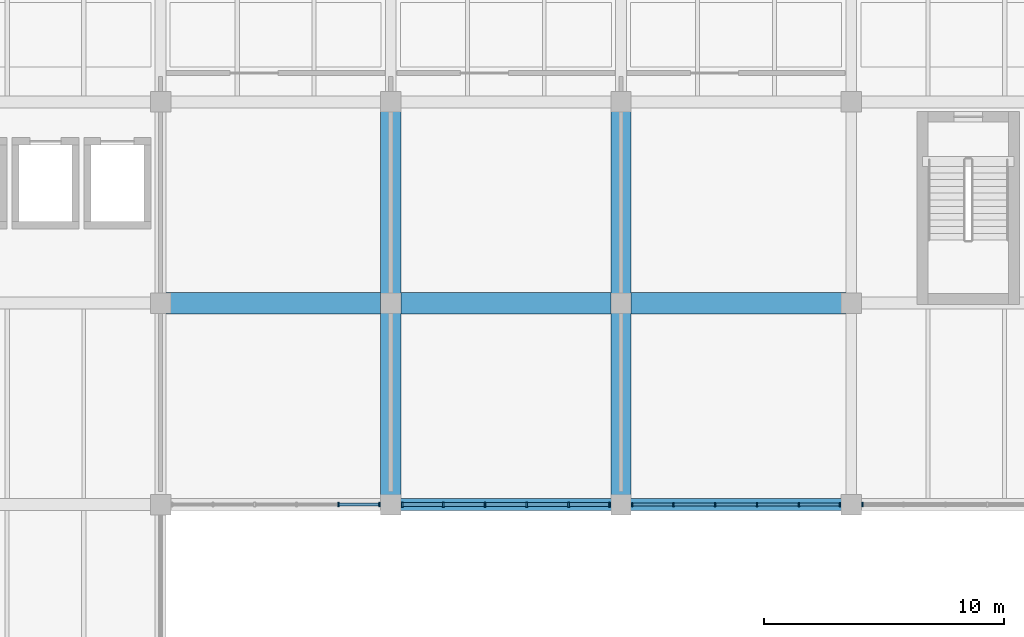
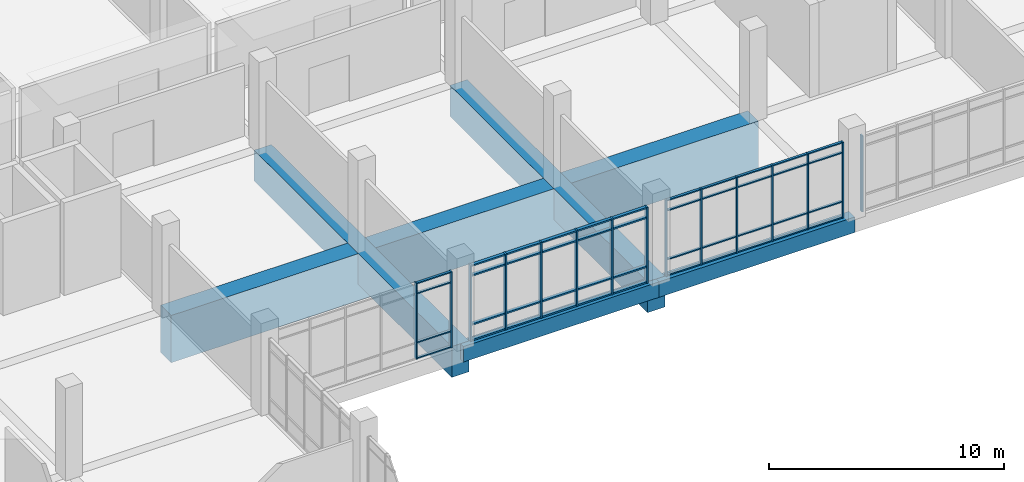
# One storey, part 33 of 152: 59 members, 5 beams, 4 elements without a shape of their own.
"""IFC4 building model written with IfcOpenShell, lengths in metres."""

from ifc_helpers import new_model, si_unit, direction, frame, origin, origin_2d, place, context, subcontext, project, spatial, rectangle, extrude, material, material_profile, profile_set, type_object, element, aggregate, save


model = new_model("IFC4")

# Units and contexts
model_context = context("Model", 3, precision=1e-05, world=origin(), true_north=direction((0.0, 1.0)))
body_context = subcontext(model_context, "Body", "Model", "MODEL_VIEW")
ifc_project = project(units=[si_unit("LENGTHUNIT", "METRE"), si_unit("AREAUNIT", "SQUARE_METRE"), si_unit("VOLUMEUNIT", "CUBIC_METRE"), si_unit("PLANEANGLEUNIT", "RADIAN"), si_unit("MASSUNIT", "GRAM", prefix="KILO")], contexts=[model_context])

# Site, building, storey
site_placement = place(None, origin())
site = spatial("IfcSite", under=ifc_project, at=site_placement, CompositionType="ELEMENT")
building_placement = place(site_placement, origin())
building = spatial("IfcBuilding", under=site, at=building_placement, Name="Oolite Switchyard Hospital", CompositionType="ELEMENT")
storey_placement = place(building_placement, frame((0.0, 0.0, 5.10009765625)))
storey = spatial("IfcBuildingStorey", under=building, at=storey_placement, Name="L01", CompositionType="ELEMENT", Elevation=5.10009765625)

# Beams
ifc_material_1 = material(Name="Concrete C40/50", Category="concrete")
ifc_material_profile_1 = material_profile(ifc_material_1, rectangle(XDim=0.5, YDim=0.800048828125, at=origin_2d()), Name="RCB500X800")
ifc_profile_set_1 = profile_set([ifc_material_profile_1], Name="Concrete C40/50")
beam_type_1 = type_object("IfcBeamType", Name="BM-RC500X800", PredefinedType="BEAM", material=ifc_profile_set_1)
beam_1_placement = place(storey_placement, frame((67.199951171875, 84.0, -0.400146484375), z_axis=(1.0, 0.0, 0.0), x_axis=(0.0, 1.0, 0.0)))
element("IfcBeam", 1, at=beam_1_placement, inside=storey, type_object=beam_type_1, Name="L01 X-Girder 170", PredefinedType="BEAM", context=body_context, shape_type="SweptSolid", body=[
    extrude(rectangle(XDim=0.5, YDim=0.800048828125, at=origin_2d()), origin(), (0.0, 0.0, 1.0), 9.60009765625),
])
beam_2_placement = place(storey_placement, frame((76.800048828125, 84.0, -0.400146484375), z_axis=(1.0, 0.0, 0.0), x_axis=(0.0, 1.0, 0.0)))
element("IfcBeam", 2, at=beam_2_placement, inside=storey, type_object=beam_type_1, Name="L01 X-Girder 171", PredefinedType="BEAM", context=body_context, shape_type="SweptSolid", body=[
    extrude(rectangle(XDim=0.5, YDim=0.800048828125, at=origin_2d()), origin(), (0.0, 0.0, 1.0), 9.599853515625),
])
ifc_material_profile_2 = material_profile(ifc_material_1, rectangle(XDim=0.85009765625, YDim=1.60009765625, at=origin_2d()), Name="RCT850X1600")
ifc_profile_set_2 = profile_set([ifc_material_profile_2], Name="Concrete C40/50")
beam_type_2 = type_object("IfcBeamType", Name="BM-TR850X1600", PredefinedType="BEAM", material=ifc_profile_set_2)
for number, where, z_axis, x_axis, name in (
    (3, (67.199951171875, 84.0, -0.800048828125), (0.0, 1.0, 0.0), (-1.0, 0.0, 0.0), "L01 Y-Girder 402"),
    (4, (76.800048828125, 84.0, -0.800048828125), (0.0, 1.0, 0.0), (-1.0, 0.0, 0.0), "L01 Y-Girder 408"),
):
    element("IfcBeam", number, at=place(storey_placement, frame(where, z_axis=z_axis, x_axis=x_axis)), inside=storey, type_object=beam_type_2, Name=name, PredefinedType="BEAM", context=body_context, shape_type="SweptSolid", body=[
        extrude(rectangle(XDim=0.85009765625, YDim=1.60009765625, at=origin_2d()), origin(), (0.0, 0.0, 1.0), 16.800048828125),
    ])
ifc_material_profile_3 = material_profile(ifc_material_1, rectangle(XDim=0.89990234375, YDim=2.449951171875, at=origin_2d()), Name="RCT900X2450")
ifc_profile_set_3 = profile_set([ifc_material_profile_3], Name="Concrete C40/50")
beam_type_3 = type_object("IfcBeamType", Name="BM-TR900X2450", PredefinedType="BEAM", material=ifc_profile_set_3)
beam_3_placement = place(storey_placement, frame((57.60009765625, 92.39990234375, -1.22509765625), z_axis=(1.0, 0.0, 0.0), x_axis=(0.0, 1.0, 0.0)))
element("IfcBeam", 5, at=beam_3_placement, inside=storey, type_object=beam_type_3, Name="L01 X-Girder 187", PredefinedType="BEAM", context=body_context, shape_type="SweptSolid", body=[
    extrude(rectangle(XDim=0.89990234375, YDim=2.449951171875, at=origin_2d()), origin(), (0.0, 0.0, 1.0), 28.7998046875),
])

# Curtain wall, members
ifc_material_2 = material(Name="Thermally broken aluminum frame with laminated impact glazing", Category="aluminium")
curtain_wall_type = type_object("IfcCurtainWallType", Name="CW-UNIT-96X48", PredefinedType="USERDEFINED", material=ifc_material_2)
curtain_wall_1_placement = place(storey_placement, origin())
curtain_wall_1 = element("IfcCurtainWall", 6, at=curtain_wall_1_placement, inside=storey, type_object=curtain_wall_type, Name="L01 Unitised Curtain Wall 140", ObjectType="UNITISED", PredefinedType="USERDEFINED")
ifc_material_3 = material(Name="Aluminium 6063-T6", Category="aluminium")
ifc_material_profile_4 = material_profile(ifc_material_3, rectangle(XDim=0.159912109375, YDim=0.06005859375, at=origin_2d()), Name="CWM60X160")
ifc_profile_set_4 = profile_set([ifc_material_profile_4], Name="Aluminium 6063-T6")
member_type_1 = type_object("IfcMemberType", Name="CW-MUL-180", PredefinedType="MULLION", material=ifc_profile_set_4)
member_1_placement = place(storey_placement, frame((85.929931640625, 84.0, 0.0), z_axis=(0.0, 0.0, 1.0), x_axis=(0.0, -1.0, 0.0)))
member_1 = element("IfcMember", 7, at=member_1_placement, type_object=member_type_1, Name="CW-02 mullion 1", PredefinedType="MULLION", context=body_context, shape_type="SweptSolid", body=[
    extrude(rectangle(XDim=0.159912109375, YDim=0.06005859375, at=origin_2d()), origin(), (0.0, 0.0, 1.0), 3.93994140625),
])
member_2_placement = place(storey_placement, frame((84.216064453125, 84.0, 0.0), z_axis=(0.0, 0.0, 1.0), x_axis=(0.0, -1.0, 0.0)))
member_2 = element("IfcMember", 8, at=member_2_placement, type_object=member_type_1, Name="CW-02 mullion 2", PredefinedType="MULLION", context=body_context, shape_type="SweptSolid", body=[
    extrude(rectangle(XDim=0.159912109375, YDim=0.06005859375, at=origin_2d()), origin(), (0.0, 0.0, 1.0), 3.93994140625),
])
member_3_placement = place(storey_placement, frame((82.471923828125, 84.0, 0.0), z_axis=(0.0, 0.0, 1.0), x_axis=(0.0, -1.0, 0.0)))
member_3 = element("IfcMember", 9, at=member_3_placement, type_object=member_type_1, Name="CW-02 mullion 3", PredefinedType="MULLION", context=body_context, shape_type="SweptSolid", body=[
    extrude(rectangle(XDim=0.159912109375, YDim=0.06005859375, at=origin_2d()), origin(), (0.0, 0.0, 1.0), 3.93994140625),
])
member_4_placement = place(storey_placement, frame((80.72802734375, 84.0, 0.0), z_axis=(0.0, 0.0, 1.0), x_axis=(0.0, -1.0, 0.0)))
member_4 = element("IfcMember", 10, at=member_4_placement, type_object=member_type_1, Name="CW-02 mullion 4", PredefinedType="MULLION", context=body_context, shape_type="SweptSolid", body=[
    extrude(rectangle(XDim=0.159912109375, YDim=0.06005859375, at=origin_2d()), origin(), (0.0, 0.0, 1.0), 3.93994140625),
])
member_5_placement = place(storey_placement, frame((78.98388671875, 84.0, 0.0), z_axis=(0.0, 0.0, 1.0), x_axis=(0.0, -1.0, 0.0)))
member_5 = element("IfcMember", 11, at=member_5_placement, type_object=member_type_1, Name="CW-02 mullion 5", PredefinedType="MULLION", context=body_context, shape_type="SweptSolid", body=[
    extrude(rectangle(XDim=0.159912109375, YDim=0.06005859375, at=origin_2d()), origin(), (0.0, 0.0, 1.0), 3.93994140625),
])
member_6_placement = place(storey_placement, frame((77.27001953125, 84.0, 0.0), z_axis=(0.0, 0.0, 1.0), x_axis=(0.0, -1.0, 0.0)))
member_6 = element("IfcMember", 12, at=member_6_placement, type_object=member_type_1, Name="CW-02 mullion 6", PredefinedType="MULLION", context=body_context, shape_type="SweptSolid", body=[
    extrude(rectangle(XDim=0.159912109375, YDim=0.06005859375, at=origin_2d()), origin(), (0.0, 0.0, 1.0), 3.93994140625),
])

curtain_wall_2_placement = place(storey_placement, origin())
curtain_wall_2 = element("IfcCurtainWall", 13, at=curtain_wall_2_placement, inside=storey, type_object=curtain_wall_type, Name="L01 Unitised Curtain Wall 138", ObjectType="UNITISED", PredefinedType="USERDEFINED")
ifc_material_profile_5 = material_profile(ifc_material_3, rectangle(XDim=0.179931640625, YDim=0.070068359375, at=origin_2d()), Name="CWM70X180")
ifc_profile_set_5 = profile_set([ifc_material_profile_5], Name="Aluminium 6063-T6")
member_type_2 = type_object("IfcMemberType", Name="CW-MUL-220", PredefinedType="MULLION", material=ifc_profile_set_5)
member_7_placement = place(storey_placement, frame((66.72509765625, 84.0, 0.0), z_axis=(0.0, 0.0, 1.0), x_axis=(0.0, -1.0, 0.0)))
member_7 = element("IfcMember", 14, at=member_7_placement, type_object=member_type_2, Name="CW-02 mullion 1", PredefinedType="MULLION", context=body_context, shape_type="SweptSolid", body=[
    extrude(rectangle(XDim=0.179931640625, YDim=0.070068359375, at=origin_2d()), origin(), (0.0, 0.0, 1.0), 3.93994140625),
])
member_8_placement = place(storey_placement, frame((65.01611328125, 84.0, 0.0), z_axis=(0.0, 0.0, 1.0), x_axis=(0.0, -1.0, 0.0)))
member_8 = element("IfcMember", 15, at=member_8_placement, type_object=member_type_2, Name="CW-02 mullion 2", PredefinedType="MULLION", context=body_context, shape_type="SweptSolid", body=[
    extrude(rectangle(XDim=0.179931640625, YDim=0.070068359375, at=origin_2d()), origin(), (0.0, 0.0, 1.0), 3.93994140625),
])

# Curtain wall, member
curtain_wall_3_placement = place(storey_placement, origin())
curtain_wall_3 = element("IfcCurtainWall", 16, at=curtain_wall_3_placement, inside=storey, type_object=curtain_wall_type, Name="L01 Unitised Curtain Wall 141", ObjectType="UNITISED", PredefinedType="USERDEFINED")
member_9_placement = place(storey_placement, frame((86.875, 84.0, 0.0), z_axis=(0.0, 0.0, 1.0), x_axis=(0.0, -1.0, 0.0)))
member_9 = element("IfcMember", 17, at=member_9_placement, type_object=member_type_2, Name="CW-02 mullion 6", PredefinedType="MULLION", context=body_context, shape_type="SweptSolid", body=[
    extrude(rectangle(XDim=0.179931640625, YDim=0.070068359375, at=origin_2d()), origin(), (0.0, 0.0, 1.0), 3.93994140625),
])
aggregate(curtain_wall_3, [member_9])

# Curtain wall, members
curtain_wall_4_placement = place(storey_placement, origin())
curtain_wall_4 = element("IfcCurtainWall", 18, at=curtain_wall_4_placement, inside=storey, type_object=curtain_wall_type, Name="L01 Unitised Curtain Wall 139", ObjectType="UNITISED", PredefinedType="USERDEFINED")
ifc_material_profile_6 = material_profile(ifc_material_3, rectangle(XDim=0.199951171875, YDim=0.074951171875, at=origin_2d()), Name="CWM75X200")
ifc_profile_set_6 = profile_set([ifc_material_profile_6], Name="Aluminium 6063-T6")
member_type_3 = type_object("IfcMemberType", Name="CW-MUL-260", PredefinedType="MULLION", material=ifc_profile_set_6)
member_10_placement = place(storey_placement, frame((76.322509765625, 84.0, 0.0), z_axis=(0.0, 0.0, 1.0), x_axis=(0.0, -1.0, 0.0)))
member_10 = element("IfcMember", 19, at=member_10_placement, type_object=member_type_3, Name="CW-02 mullion 1", PredefinedType="MULLION", context=body_context, shape_type="SweptSolid", body=[
    extrude(rectangle(XDim=0.199951171875, YDim=0.074951171875, at=origin_2d()), origin(), (0.0, 0.0, 1.0), 3.93994140625),
])
member_11_placement = place(storey_placement, frame((74.615966796875, 84.0, 0.0), z_axis=(0.0, 0.0, 1.0), x_axis=(0.0, -1.0, 0.0)))
member_11 = element("IfcMember", 20, at=member_11_placement, type_object=member_type_3, Name="CW-02 mullion 2", PredefinedType="MULLION", context=body_context, shape_type="SweptSolid", body=[
    extrude(rectangle(XDim=0.199951171875, YDim=0.074951171875, at=origin_2d()), origin(), (0.0, 0.0, 1.0), 3.93994140625),
])
member_12_placement = place(storey_placement, frame((72.8720703125, 84.0, 0.0), z_axis=(0.0, 0.0, 1.0), x_axis=(0.0, -1.0, 0.0)))
member_12 = element("IfcMember", 21, at=member_12_placement, type_object=member_type_3, Name="CW-02 mullion 3", PredefinedType="MULLION", context=body_context, shape_type="SweptSolid", body=[
    extrude(rectangle(XDim=0.199951171875, YDim=0.074951171875, at=origin_2d()), origin(), (0.0, 0.0, 1.0), 3.93994140625),
])
member_13_placement = place(storey_placement, frame((71.1279296875, 84.0, 0.0), z_axis=(0.0, 0.0, 1.0), x_axis=(0.0, -1.0, 0.0)))
member_13 = element("IfcMember", 22, at=member_13_placement, type_object=member_type_3, Name="CW-02 mullion 4", PredefinedType="MULLION", context=body_context, shape_type="SweptSolid", body=[
    extrude(rectangle(XDim=0.199951171875, YDim=0.074951171875, at=origin_2d()), origin(), (0.0, 0.0, 1.0), 3.93994140625),
])
member_14_placement = place(storey_placement, frame((69.384033203125, 84.0, 0.0), z_axis=(0.0, 0.0, 1.0), x_axis=(0.0, -1.0, 0.0)))
member_14 = element("IfcMember", 23, at=member_14_placement, type_object=member_type_3, Name="CW-02 mullion 5", PredefinedType="MULLION", context=body_context, shape_type="SweptSolid", body=[
    extrude(rectangle(XDim=0.199951171875, YDim=0.074951171875, at=origin_2d()), origin(), (0.0, 0.0, 1.0), 3.93994140625),
])
member_15_placement = place(storey_placement, frame((67.677490234375, 84.0, 0.0), z_axis=(0.0, 0.0, 1.0), x_axis=(0.0, -1.0, 0.0)))
member_15 = element("IfcMember", 24, at=member_15_placement, type_object=member_type_3, Name="CW-02 mullion 6", PredefinedType="MULLION", context=body_context, shape_type="SweptSolid", body=[
    extrude(rectangle(XDim=0.199951171875, YDim=0.074951171875, at=origin_2d()), origin(), (0.0, 0.0, 1.0), 3.93994140625),
])

# Member
ifc_material_profile_7 = material_profile(ifc_material_3, rectangle(XDim=0.1201171875, YDim=0.06005859375, at=origin_2d()), Name="CWT60X120")
ifc_profile_set_7 = profile_set([ifc_material_profile_7], Name="Aluminium 6063-T6")
member_type_4 = type_object("IfcMemberType", Name="CW-TRN-150", PredefinedType="USERDEFINED", material=ifc_profile_set_7)
member_16_placement = place(storey_placement, frame((66.68994140625, 84.0, 0.02978515625), z_axis=(-1.0, 0.0, 0.0), x_axis=(0.0, -1.0, 0.0)))
member_16 = element("IfcMember", 25, at=member_16_placement, type_object=member_type_4, Name="CW-02 transom 1.1", ObjectType="TRANSOM", PredefinedType="USERDEFINED", context=body_context, shape_type="SweptSolid", body=[
    extrude(rectangle(XDim=0.1201171875, YDim=0.06005859375, at=origin_2d()), origin(), (0.0, 0.0, 1.0), 1.638916015625),
])

member_17_placement = place(storey_placement, frame((66.68994140625, 84.0, 0.849853515625), z_axis=(-1.0, 0.0, 0.0), x_axis=(0.0, -1.0, 0.0)))
member_17 = element("IfcMember", 26, at=member_17_placement, type_object=member_type_4, Name="CW-02 transom 1.2", ObjectType="TRANSOM", PredefinedType="USERDEFINED", context=body_context, shape_type="SweptSolid", body=[
    extrude(rectangle(XDim=0.1201171875, YDim=0.06005859375, at=origin_2d()), origin(), (0.0, 0.0, 1.0), 1.638916015625),
])

member_18_placement = place(storey_placement, frame((66.68994140625, 84.0, 3.389892578125), z_axis=(-1.0, 0.0, 0.0), x_axis=(0.0, -1.0, 0.0)))
member_18 = element("IfcMember", 27, at=member_18_placement, type_object=member_type_4, Name="CW-02 transom 1.3", ObjectType="TRANSOM", PredefinedType="USERDEFINED", context=body_context, shape_type="SweptSolid", body=[
    extrude(rectangle(XDim=0.1201171875, YDim=0.06005859375, at=origin_2d()), origin(), (0.0, 0.0, 1.0), 1.638916015625),
])

member_19_placement = place(storey_placement, frame((66.68994140625, 84.0, 3.909912109375), z_axis=(-1.0, 0.0, 0.0), x_axis=(0.0, -1.0, 0.0)))
member_19 = element("IfcMember", 28, at=member_19_placement, type_object=member_type_4, Name="CW-02 transom 1.4", ObjectType="TRANSOM", PredefinedType="USERDEFINED", context=body_context, shape_type="SweptSolid", body=[
    extrude(rectangle(XDim=0.1201171875, YDim=0.06005859375, at=origin_2d()), origin(), (0.0, 0.0, 1.0), 1.638916015625),
])

aggregate(curtain_wall_2, [member_7, member_8, member_16, member_17, member_18, member_19])

member_20_placement = place(storey_placement, frame((85.89990234375, 84.0, 0.02978515625), z_axis=(-1.0, 0.0, 0.0), x_axis=(0.0, -1.0, 0.0)))
member_20 = element("IfcMember", 29, at=member_20_placement, type_object=member_type_4, Name="CW-02 transom 1.1", ObjectType="TRANSOM", PredefinedType="USERDEFINED", context=body_context, shape_type="SweptSolid", body=[
    extrude(rectangle(XDim=0.1201171875, YDim=0.06005859375, at=origin_2d()), origin(), (0.0, 0.0, 1.0), 1.65380859375),
])

member_21_placement = place(storey_placement, frame((85.89990234375, 84.0, 0.849853515625), z_axis=(-1.0, 0.0, 0.0), x_axis=(0.0, -1.0, 0.0)))
member_21 = element("IfcMember", 30, at=member_21_placement, type_object=member_type_4, Name="CW-02 transom 1.2", ObjectType="TRANSOM", PredefinedType="USERDEFINED", context=body_context, shape_type="SweptSolid", body=[
    extrude(rectangle(XDim=0.1201171875, YDim=0.06005859375, at=origin_2d()), origin(), (0.0, 0.0, 1.0), 1.65380859375),
])

member_22_placement = place(storey_placement, frame((85.89990234375, 84.0, 3.389892578125), z_axis=(-1.0, 0.0, 0.0), x_axis=(0.0, -1.0, 0.0)))
member_22 = element("IfcMember", 31, at=member_22_placement, type_object=member_type_4, Name="CW-02 transom 1.3", ObjectType="TRANSOM", PredefinedType="USERDEFINED", context=body_context, shape_type="SweptSolid", body=[
    extrude(rectangle(XDim=0.1201171875, YDim=0.06005859375, at=origin_2d()), origin(), (0.0, 0.0, 1.0), 1.65380859375),
])

member_23_placement = place(storey_placement, frame((85.89990234375, 84.0, 3.909912109375), z_axis=(-1.0, 0.0, 0.0), x_axis=(0.0, -1.0, 0.0)))
member_23 = element("IfcMember", 32, at=member_23_placement, type_object=member_type_4, Name="CW-02 transom 1.4", ObjectType="TRANSOM", PredefinedType="USERDEFINED", context=body_context, shape_type="SweptSolid", body=[
    extrude(rectangle(XDim=0.1201171875, YDim=0.06005859375, at=origin_2d()), origin(), (0.0, 0.0, 1.0), 1.65380859375),
])

member_24_placement = place(storey_placement, frame((84.18603515625, 84.0, 0.02978515625), z_axis=(-1.0, 0.0, 0.0), x_axis=(0.0, -1.0, 0.0)))
member_24 = element("IfcMember", 33, at=member_24_placement, type_object=member_type_4, Name="CW-02 transom 2.1", ObjectType="TRANSOM", PredefinedType="USERDEFINED", context=body_context, shape_type="SweptSolid", body=[
    extrude(rectangle(XDim=0.1201171875, YDim=0.06005859375, at=origin_2d()), origin(), (0.0, 0.0, 1.0), 1.68408203125),
])

member_25_placement = place(storey_placement, frame((84.18603515625, 84.0, 0.849853515625), z_axis=(-1.0, 0.0, 0.0), x_axis=(0.0, -1.0, 0.0)))
member_25 = element("IfcMember", 34, at=member_25_placement, type_object=member_type_4, Name="CW-02 transom 2.2", ObjectType="TRANSOM", PredefinedType="USERDEFINED", context=body_context, shape_type="SweptSolid", body=[
    extrude(rectangle(XDim=0.1201171875, YDim=0.06005859375, at=origin_2d()), origin(), (0.0, 0.0, 1.0), 1.68408203125),
])

member_26_placement = place(storey_placement, frame((84.18603515625, 84.0, 3.389892578125), z_axis=(-1.0, 0.0, 0.0), x_axis=(0.0, -1.0, 0.0)))
member_26 = element("IfcMember", 35, at=member_26_placement, type_object=member_type_4, Name="CW-02 transom 2.3", ObjectType="TRANSOM", PredefinedType="USERDEFINED", context=body_context, shape_type="SweptSolid", body=[
    extrude(rectangle(XDim=0.1201171875, YDim=0.06005859375, at=origin_2d()), origin(), (0.0, 0.0, 1.0), 1.68408203125),
])

member_27_placement = place(storey_placement, frame((84.18603515625, 84.0, 3.909912109375), z_axis=(-1.0, 0.0, 0.0), x_axis=(0.0, -1.0, 0.0)))
member_27 = element("IfcMember", 36, at=member_27_placement, type_object=member_type_4, Name="CW-02 transom 2.4", ObjectType="TRANSOM", PredefinedType="USERDEFINED", context=body_context, shape_type="SweptSolid", body=[
    extrude(rectangle(XDim=0.1201171875, YDim=0.06005859375, at=origin_2d()), origin(), (0.0, 0.0, 1.0), 1.68408203125),
])

member_28_placement = place(storey_placement, frame((82.44189453125, 84.0, 0.02978515625), z_axis=(-1.0, 0.0, 0.0), x_axis=(0.0, -1.0, 0.0)))
member_28 = element("IfcMember", 37, at=member_28_placement, type_object=member_type_4, Name="CW-02 transom 3.1", ObjectType="TRANSOM", PredefinedType="USERDEFINED", context=body_context, shape_type="SweptSolid", body=[
    extrude(rectangle(XDim=0.1201171875, YDim=0.06005859375, at=origin_2d()), origin(), (0.0, 0.0, 1.0), 1.683837890625),
])

member_29_placement = place(storey_placement, frame((82.44189453125, 84.0, 0.849853515625), z_axis=(-1.0, 0.0, 0.0), x_axis=(0.0, -1.0, 0.0)))
member_29 = element("IfcMember", 38, at=member_29_placement, type_object=member_type_4, Name="CW-02 transom 3.2", ObjectType="TRANSOM", PredefinedType="USERDEFINED", context=body_context, shape_type="SweptSolid", body=[
    extrude(rectangle(XDim=0.1201171875, YDim=0.06005859375, at=origin_2d()), origin(), (0.0, 0.0, 1.0), 1.683837890625),
])

member_30_placement = place(storey_placement, frame((82.44189453125, 84.0, 3.389892578125), z_axis=(-1.0, 0.0, 0.0), x_axis=(0.0, -1.0, 0.0)))
member_30 = element("IfcMember", 39, at=member_30_placement, type_object=member_type_4, Name="CW-02 transom 3.3", ObjectType="TRANSOM", PredefinedType="USERDEFINED", context=body_context, shape_type="SweptSolid", body=[
    extrude(rectangle(XDim=0.1201171875, YDim=0.06005859375, at=origin_2d()), origin(), (0.0, 0.0, 1.0), 1.683837890625),
])

member_31_placement = place(storey_placement, frame((82.44189453125, 84.0, 3.909912109375), z_axis=(-1.0, 0.0, 0.0), x_axis=(0.0, -1.0, 0.0)))
member_31 = element("IfcMember", 40, at=member_31_placement, type_object=member_type_4, Name="CW-02 transom 3.4", ObjectType="TRANSOM", PredefinedType="USERDEFINED", context=body_context, shape_type="SweptSolid", body=[
    extrude(rectangle(XDim=0.1201171875, YDim=0.06005859375, at=origin_2d()), origin(), (0.0, 0.0, 1.0), 1.683837890625),
])

member_32_placement = place(storey_placement, frame((80.697998046875, 84.0, 0.02978515625), z_axis=(-1.0, 0.0, 0.0), x_axis=(0.0, -1.0, 0.0)))
member_32 = element("IfcMember", 41, at=member_32_placement, type_object=member_type_4, Name="CW-02 transom 4.1", ObjectType="TRANSOM", PredefinedType="USERDEFINED", context=body_context, shape_type="SweptSolid", body=[
    extrude(rectangle(XDim=0.1201171875, YDim=0.06005859375, at=origin_2d()), origin(), (0.0, 0.0, 1.0), 1.68408203125),
])

member_33_placement = place(storey_placement, frame((80.697998046875, 84.0, 0.849853515625), z_axis=(-1.0, 0.0, 0.0), x_axis=(0.0, -1.0, 0.0)))
member_33 = element("IfcMember", 42, at=member_33_placement, type_object=member_type_4, Name="CW-02 transom 4.2", ObjectType="TRANSOM", PredefinedType="USERDEFINED", context=body_context, shape_type="SweptSolid", body=[
    extrude(rectangle(XDim=0.1201171875, YDim=0.06005859375, at=origin_2d()), origin(), (0.0, 0.0, 1.0), 1.68408203125),
])

member_34_placement = place(storey_placement, frame((80.697998046875, 84.0, 3.389892578125), z_axis=(-1.0, 0.0, 0.0), x_axis=(0.0, -1.0, 0.0)))
member_34 = element("IfcMember", 43, at=member_34_placement, type_object=member_type_4, Name="CW-02 transom 4.3", ObjectType="TRANSOM", PredefinedType="USERDEFINED", context=body_context, shape_type="SweptSolid", body=[
    extrude(rectangle(XDim=0.1201171875, YDim=0.06005859375, at=origin_2d()), origin(), (0.0, 0.0, 1.0), 1.68408203125),
])

member_35_placement = place(storey_placement, frame((80.697998046875, 84.0, 3.909912109375), z_axis=(-1.0, 0.0, 0.0), x_axis=(0.0, -1.0, 0.0)))
member_35 = element("IfcMember", 44, at=member_35_placement, type_object=member_type_4, Name="CW-02 transom 4.4", ObjectType="TRANSOM", PredefinedType="USERDEFINED", context=body_context, shape_type="SweptSolid", body=[
    extrude(rectangle(XDim=0.1201171875, YDim=0.06005859375, at=origin_2d()), origin(), (0.0, 0.0, 1.0), 1.68408203125),
])

member_36_placement = place(storey_placement, frame((78.9541015625, 84.0, 0.02978515625), z_axis=(-1.0, 0.0, 0.0), x_axis=(0.0, -1.0, 0.0)))
member_36 = element("IfcMember", 45, at=member_36_placement, type_object=member_type_4, Name="CW-02 transom 5.1", ObjectType="TRANSOM", PredefinedType="USERDEFINED", context=body_context, shape_type="SweptSolid", body=[
    extrude(rectangle(XDim=0.1201171875, YDim=0.06005859375, at=origin_2d()), origin(), (0.0, 0.0, 1.0), 1.654052734375),
])

member_37_placement = place(storey_placement, frame((78.9541015625, 84.0, 0.849853515625), z_axis=(-1.0, 0.0, 0.0), x_axis=(0.0, -1.0, 0.0)))
member_37 = element("IfcMember", 46, at=member_37_placement, type_object=member_type_4, Name="CW-02 transom 5.2", ObjectType="TRANSOM", PredefinedType="USERDEFINED", context=body_context, shape_type="SweptSolid", body=[
    extrude(rectangle(XDim=0.1201171875, YDim=0.06005859375, at=origin_2d()), origin(), (0.0, 0.0, 1.0), 1.654052734375),
])

member_38_placement = place(storey_placement, frame((78.9541015625, 84.0, 3.389892578125), z_axis=(-1.0, 0.0, 0.0), x_axis=(0.0, -1.0, 0.0)))
member_38 = element("IfcMember", 47, at=member_38_placement, type_object=member_type_4, Name="CW-02 transom 5.3", ObjectType="TRANSOM", PredefinedType="USERDEFINED", context=body_context, shape_type="SweptSolid", body=[
    extrude(rectangle(XDim=0.1201171875, YDim=0.06005859375, at=origin_2d()), origin(), (0.0, 0.0, 1.0), 1.654052734375),
])

member_39_placement = place(storey_placement, frame((78.9541015625, 84.0, 3.909912109375), z_axis=(-1.0, 0.0, 0.0), x_axis=(0.0, -1.0, 0.0)))
member_39 = element("IfcMember", 48, at=member_39_placement, type_object=member_type_4, Name="CW-02 transom 5.4", ObjectType="TRANSOM", PredefinedType="USERDEFINED", context=body_context, shape_type="SweptSolid", body=[
    extrude(rectangle(XDim=0.1201171875, YDim=0.06005859375, at=origin_2d()), origin(), (0.0, 0.0, 1.0), 1.654052734375),
])

aggregate(curtain_wall_1, [member_1, member_2, member_3, member_4, member_5, member_6, member_20, member_21, member_22, member_23, member_24, member_25, member_26, member_27, member_28, member_29, member_30, member_31, member_32, member_33, member_34, member_35, member_36, member_37, member_38, member_39])

ifc_material_profile_8 = material_profile(ifc_material_3, rectangle(XDim=0.159912109375, YDim=0.074951171875, at=origin_2d()), Name="CWT75X160")
ifc_profile_set_8 = profile_set([ifc_material_profile_8], Name="Aluminium 6063-T6")
member_type_5 = type_object("IfcMemberType", Name="CW-TRN-180", PredefinedType="USERDEFINED", material=ifc_profile_set_8)
member_40_placement = place(storey_placement, frame((76.284912109375, 84.0, 0.037353515625), z_axis=(-1.0, 0.0, 0.0), x_axis=(0.0, -1.0, 0.0)))
member_40 = element("IfcMember", 49, at=member_40_placement, type_object=member_type_5, Name="CW-02 transom 1.1", ObjectType="TRANSOM", PredefinedType="USERDEFINED", context=body_context, shape_type="SweptSolid", body=[
    extrude(rectangle(XDim=0.159912109375, YDim=0.074951171875, at=origin_2d()), origin(), (0.0, 0.0, 1.0), 1.63134765625),
])

member_41_placement = place(storey_placement, frame((76.284912109375, 84.0, 0.849853515625), z_axis=(-1.0, 0.0, 0.0), x_axis=(0.0, -1.0, 0.0)))
member_41 = element("IfcMember", 50, at=member_41_placement, type_object=member_type_5, Name="CW-02 transom 1.2", ObjectType="TRANSOM", PredefinedType="USERDEFINED", context=body_context, shape_type="SweptSolid", body=[
    extrude(rectangle(XDim=0.159912109375, YDim=0.074951171875, at=origin_2d()), origin(), (0.0, 0.0, 1.0), 1.63134765625),
])

member_42_placement = place(storey_placement, frame((76.284912109375, 84.0, 3.389892578125), z_axis=(-1.0, 0.0, 0.0), x_axis=(0.0, -1.0, 0.0)))
member_42 = element("IfcMember", 51, at=member_42_placement, type_object=member_type_5, Name="CW-02 transom 1.3", ObjectType="TRANSOM", PredefinedType="USERDEFINED", context=body_context, shape_type="SweptSolid", body=[
    extrude(rectangle(XDim=0.159912109375, YDim=0.074951171875, at=origin_2d()), origin(), (0.0, 0.0, 1.0), 1.63134765625),
])

member_43_placement = place(storey_placement, frame((76.284912109375, 84.0, 3.90234375), z_axis=(-1.0, 0.0, 0.0), x_axis=(0.0, -1.0, 0.0)))
member_43 = element("IfcMember", 52, at=member_43_placement, type_object=member_type_5, Name="CW-02 transom 1.4", ObjectType="TRANSOM", PredefinedType="USERDEFINED", context=body_context, shape_type="SweptSolid", body=[
    extrude(rectangle(XDim=0.159912109375, YDim=0.074951171875, at=origin_2d()), origin(), (0.0, 0.0, 1.0), 1.63134765625),
])

member_44_placement = place(storey_placement, frame((74.57861328125, 84.0, 0.037353515625), z_axis=(-1.0, 0.0, 0.0), x_axis=(0.0, -1.0, 0.0)))
member_44 = element("IfcMember", 53, at=member_44_placement, type_object=member_type_5, Name="CW-02 transom 2.1", ObjectType="TRANSOM", PredefinedType="USERDEFINED", context=body_context, shape_type="SweptSolid", body=[
    extrude(rectangle(XDim=0.159912109375, YDim=0.074951171875, at=origin_2d()), origin(), (0.0, 0.0, 1.0), 1.669189453125),
])

member_45_placement = place(storey_placement, frame((74.57861328125, 84.0, 0.849853515625), z_axis=(-1.0, 0.0, 0.0), x_axis=(0.0, -1.0, 0.0)))
member_45 = element("IfcMember", 54, at=member_45_placement, type_object=member_type_5, Name="CW-02 transom 2.2", ObjectType="TRANSOM", PredefinedType="USERDEFINED", context=body_context, shape_type="SweptSolid", body=[
    extrude(rectangle(XDim=0.159912109375, YDim=0.074951171875, at=origin_2d()), origin(), (0.0, 0.0, 1.0), 1.669189453125),
])

member_46_placement = place(storey_placement, frame((74.57861328125, 84.0, 3.389892578125), z_axis=(-1.0, 0.0, 0.0), x_axis=(0.0, -1.0, 0.0)))
member_46 = element("IfcMember", 55, at=member_46_placement, type_object=member_type_5, Name="CW-02 transom 2.3", ObjectType="TRANSOM", PredefinedType="USERDEFINED", context=body_context, shape_type="SweptSolid", body=[
    extrude(rectangle(XDim=0.159912109375, YDim=0.074951171875, at=origin_2d()), origin(), (0.0, 0.0, 1.0), 1.669189453125),
])

member_47_placement = place(storey_placement, frame((74.57861328125, 84.0, 3.90234375), z_axis=(-1.0, 0.0, 0.0), x_axis=(0.0, -1.0, 0.0)))
member_47 = element("IfcMember", 56, at=member_47_placement, type_object=member_type_5, Name="CW-02 transom 2.4", ObjectType="TRANSOM", PredefinedType="USERDEFINED", context=body_context, shape_type="SweptSolid", body=[
    extrude(rectangle(XDim=0.159912109375, YDim=0.074951171875, at=origin_2d()), origin(), (0.0, 0.0, 1.0), 1.669189453125),
])

member_48_placement = place(storey_placement, frame((72.83447265625, 84.0, 0.037353515625), z_axis=(-1.0, 0.0, 0.0), x_axis=(0.0, -1.0, 0.0)))
member_48 = element("IfcMember", 57, at=member_48_placement, type_object=member_type_5, Name="CW-02 transom 3.1", ObjectType="TRANSOM", PredefinedType="USERDEFINED", context=body_context, shape_type="SweptSolid", body=[
    extrude(rectangle(XDim=0.159912109375, YDim=0.074951171875, at=origin_2d()), origin(), (0.0, 0.0, 1.0), 1.6689453125),
])

member_49_placement = place(storey_placement, frame((72.83447265625, 84.0, 0.849853515625), z_axis=(-1.0, 0.0, 0.0), x_axis=(0.0, -1.0, 0.0)))
member_49 = element("IfcMember", 58, at=member_49_placement, type_object=member_type_5, Name="CW-02 transom 3.2", ObjectType="TRANSOM", PredefinedType="USERDEFINED", context=body_context, shape_type="SweptSolid", body=[
    extrude(rectangle(XDim=0.159912109375, YDim=0.074951171875, at=origin_2d()), origin(), (0.0, 0.0, 1.0), 1.6689453125),
])

member_50_placement = place(storey_placement, frame((72.83447265625, 84.0, 3.389892578125), z_axis=(-1.0, 0.0, 0.0), x_axis=(0.0, -1.0, 0.0)))
member_50 = element("IfcMember", 59, at=member_50_placement, type_object=member_type_5, Name="CW-02 transom 3.3", ObjectType="TRANSOM", PredefinedType="USERDEFINED", context=body_context, shape_type="SweptSolid", body=[
    extrude(rectangle(XDim=0.159912109375, YDim=0.074951171875, at=origin_2d()), origin(), (0.0, 0.0, 1.0), 1.6689453125),
])

member_51_placement = place(storey_placement, frame((72.83447265625, 84.0, 3.90234375), z_axis=(-1.0, 0.0, 0.0), x_axis=(0.0, -1.0, 0.0)))
member_51 = element("IfcMember", 60, at=member_51_placement, type_object=member_type_5, Name="CW-02 transom 3.4", ObjectType="TRANSOM", PredefinedType="USERDEFINED", context=body_context, shape_type="SweptSolid", body=[
    extrude(rectangle(XDim=0.159912109375, YDim=0.074951171875, at=origin_2d()), origin(), (0.0, 0.0, 1.0), 1.6689453125),
])

member_52_placement = place(storey_placement, frame((71.090576171875, 84.0, 0.037353515625), z_axis=(-1.0, 0.0, 0.0), x_axis=(0.0, -1.0, 0.0)))
member_52 = element("IfcMember", 61, at=member_52_placement, type_object=member_type_5, Name="CW-02 transom 4.1", ObjectType="TRANSOM", PredefinedType="USERDEFINED", context=body_context, shape_type="SweptSolid", body=[
    extrude(rectangle(XDim=0.159912109375, YDim=0.074951171875, at=origin_2d()), origin(), (0.0, 0.0, 1.0), 1.669189453125),
])

member_53_placement = place(storey_placement, frame((71.090576171875, 84.0, 0.849853515625), z_axis=(-1.0, 0.0, 0.0), x_axis=(0.0, -1.0, 0.0)))
member_53 = element("IfcMember", 62, at=member_53_placement, type_object=member_type_5, Name="CW-02 transom 4.2", ObjectType="TRANSOM", PredefinedType="USERDEFINED", context=body_context, shape_type="SweptSolid", body=[
    extrude(rectangle(XDim=0.159912109375, YDim=0.074951171875, at=origin_2d()), origin(), (0.0, 0.0, 1.0), 1.669189453125),
])

member_54_placement = place(storey_placement, frame((71.090576171875, 84.0, 3.389892578125), z_axis=(-1.0, 0.0, 0.0), x_axis=(0.0, -1.0, 0.0)))
member_54 = element("IfcMember", 63, at=member_54_placement, type_object=member_type_5, Name="CW-02 transom 4.3", ObjectType="TRANSOM", PredefinedType="USERDEFINED", context=body_context, shape_type="SweptSolid", body=[
    extrude(rectangle(XDim=0.159912109375, YDim=0.074951171875, at=origin_2d()), origin(), (0.0, 0.0, 1.0), 1.669189453125),
])

member_55_placement = place(storey_placement, frame((71.090576171875, 84.0, 3.90234375), z_axis=(-1.0, 0.0, 0.0), x_axis=(0.0, -1.0, 0.0)))
member_55 = element("IfcMember", 64, at=member_55_placement, type_object=member_type_5, Name="CW-02 transom 4.4", ObjectType="TRANSOM", PredefinedType="USERDEFINED", context=body_context, shape_type="SweptSolid", body=[
    extrude(rectangle(XDim=0.159912109375, YDim=0.074951171875, at=origin_2d()), origin(), (0.0, 0.0, 1.0), 1.669189453125),
])

member_56_placement = place(storey_placement, frame((69.346435546875, 84.0, 0.037353515625), z_axis=(-1.0, 0.0, 0.0), x_axis=(0.0, -1.0, 0.0)))
member_56 = element("IfcMember", 65, at=member_56_placement, type_object=member_type_5, Name="CW-02 transom 5.1", ObjectType="TRANSOM", PredefinedType="USERDEFINED", context=body_context, shape_type="SweptSolid", body=[
    extrude(rectangle(XDim=0.159912109375, YDim=0.074951171875, at=origin_2d()), origin(), (0.0, 0.0, 1.0), 1.63134765625),
])

member_57_placement = place(storey_placement, frame((69.346435546875, 84.0, 0.849853515625), z_axis=(-1.0, 0.0, 0.0), x_axis=(0.0, -1.0, 0.0)))
member_57 = element("IfcMember", 66, at=member_57_placement, type_object=member_type_5, Name="CW-02 transom 5.2", ObjectType="TRANSOM", PredefinedType="USERDEFINED", context=body_context, shape_type="SweptSolid", body=[
    extrude(rectangle(XDim=0.159912109375, YDim=0.074951171875, at=origin_2d()), origin(), (0.0, 0.0, 1.0), 1.63134765625),
])

member_58_placement = place(storey_placement, frame((69.346435546875, 84.0, 3.389892578125), z_axis=(-1.0, 0.0, 0.0), x_axis=(0.0, -1.0, 0.0)))
member_58 = element("IfcMember", 67, at=member_58_placement, type_object=member_type_5, Name="CW-02 transom 5.3", ObjectType="TRANSOM", PredefinedType="USERDEFINED", context=body_context, shape_type="SweptSolid", body=[
    extrude(rectangle(XDim=0.159912109375, YDim=0.074951171875, at=origin_2d()), origin(), (0.0, 0.0, 1.0), 1.63134765625),
])

member_59_placement = place(storey_placement, frame((69.346435546875, 84.0, 3.90234375), z_axis=(-1.0, 0.0, 0.0), x_axis=(0.0, -1.0, 0.0)))
member_59 = element("IfcMember", 68, at=member_59_placement, type_object=member_type_5, Name="CW-02 transom 5.4", ObjectType="TRANSOM", PredefinedType="USERDEFINED", context=body_context, shape_type="SweptSolid", body=[
    extrude(rectangle(XDim=0.159912109375, YDim=0.074951171875, at=origin_2d()), origin(), (0.0, 0.0, 1.0), 1.63134765625),
])

aggregate(curtain_wall_4, [member_10, member_11, member_12, member_13, member_14, member_15, member_40, member_41, member_42, member_43, member_44, member_45, member_46, member_47, member_48, member_49, member_50, member_51, member_52, member_53, member_54, member_55, member_56, member_57, member_58, member_59])

save(model, "model.ifc")
